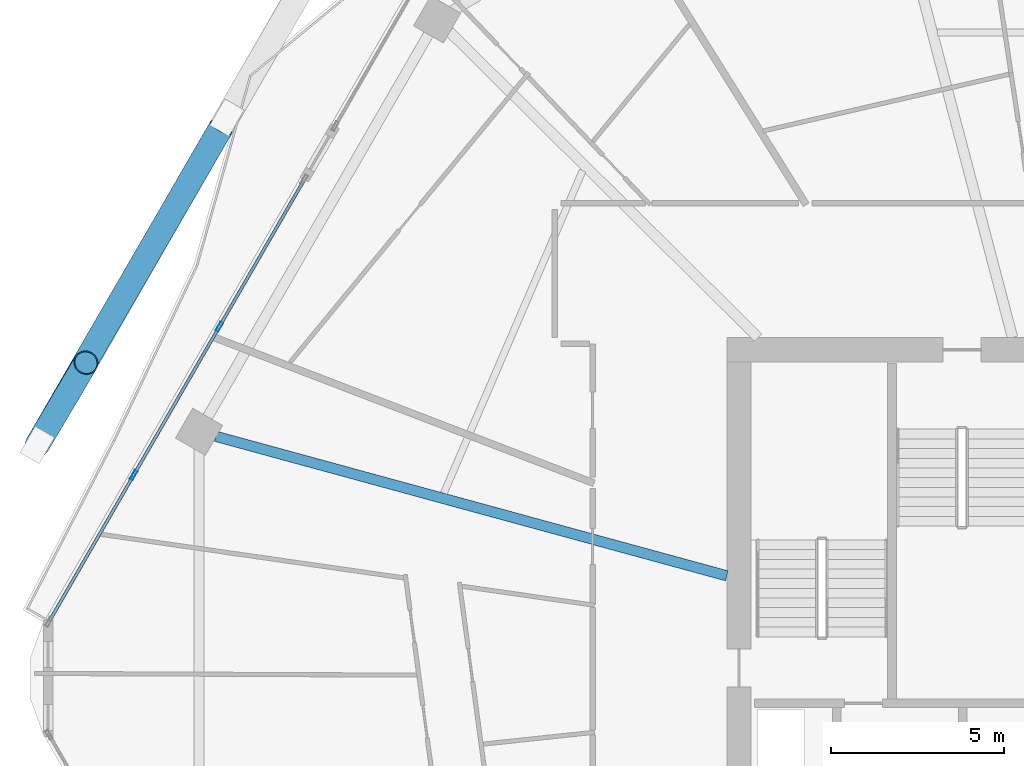
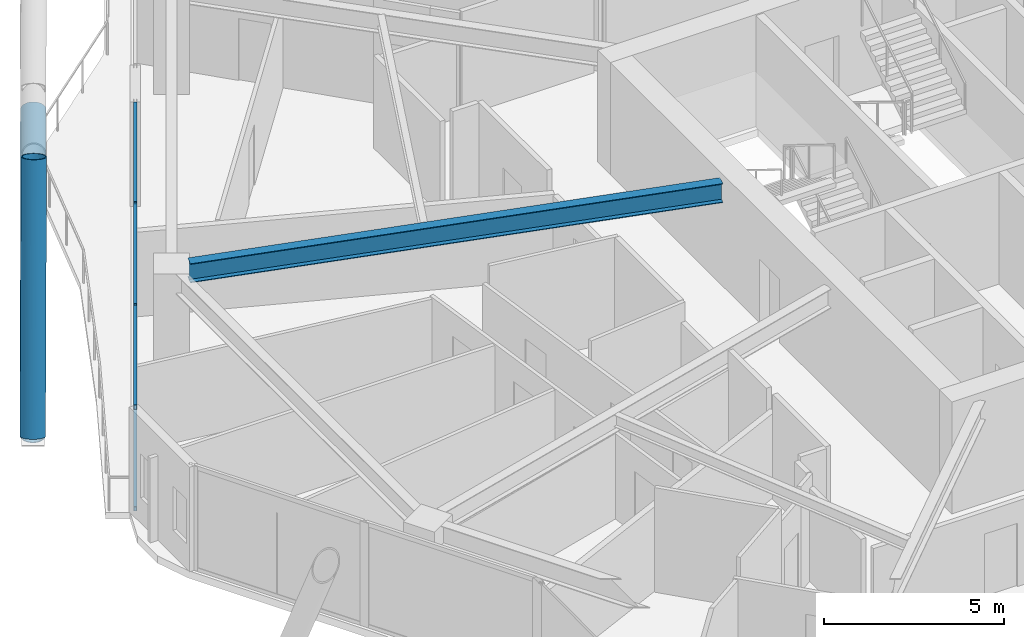
# One storey, part 11 of 30: 10 members, 1 beam, 1 element without a shape of its own.
"""IFC4 building model written with IfcOpenShell, lengths in metres."""

from ifc_helpers import new_model, si_unit, direction, frame, origin, origin_2d, place, context, subcontext, project, spatial, hollow_rectangle, hollow_circle, i_section, extrude, material, material_profile, profile_set, type_object, element, aggregate, save


model = new_model("IFC4")

# Units and contexts
model_context = context("Model", 3, precision=1e-05, world=origin(), true_north=direction((0.0, 1.0)))
body_context = subcontext(model_context, "Body", "Model", "MODEL_VIEW")
ifc_project = project(units=[si_unit("LENGTHUNIT", "METRE"), si_unit("AREAUNIT", "SQUARE_METRE"), si_unit("VOLUMEUNIT", "CUBIC_METRE"), si_unit("PLANEANGLEUNIT", "RADIAN"), si_unit("MASSUNIT", "GRAM", prefix="KILO")], contexts=[model_context])

# Site, building, storey
site_placement = place(None, origin())
site = spatial("IfcSite", under=ifc_project, at=site_placement, CompositionType="ELEMENT")
building_placement = place(site_placement, origin())
building = spatial("IfcBuilding", under=site, at=building_placement, Name="Zuhravey Tower", CompositionType="ELEMENT")
storey_placement = place(building_placement, frame((0.0, 0.0, 177.0)))
storey = spatial("IfcBuildingStorey", under=building, at=storey_placement, Name="L44", CompositionType="ELEMENT", Elevation=177.0)

# Curtain wall, members
ifc_material_1 = material(Name="Thermally broken anodised aluminium", Category="aluminium")
curtain_wall_type = type_object("IfcCurtainWallType", Name="Zone 1-2 Residential Curtain Wall CW3", PredefinedType="NOTDEFINED", material=ifc_material_1)
curtain_wall_placement = place(storey_placement, origin())
curtain_wall = element("IfcCurtainWall", 1, at=curtain_wall_placement, inside=storey, type_object=curtain_wall_type, Name="L44 CW3 CW-L44-F3-1", PredefinedType="NOTDEFINED")
ifc_material_2 = material(Name="Anodised aluminium", Category="aluminium")
ifc_material_profile_1 = material_profile(ifc_material_2, hollow_rectangle(XDim=0.090087890625, YDim=0.284912109375, WallThickness=0.0048828125, at=origin_2d()), Name="ALU-RHS-90x285x5")
ifc_profile_set_1 = profile_set([ifc_material_profile_1], Name="Anodised aluminium")
member_type_1 = type_object("IfcMemberType", Name="Curtain-Wall Mullion 90x180", PredefinedType="MULLION", material=ifc_profile_set_1)
member_1_placement = place(storey_placement, frame((8.004150390625, 37.875732421875, 0.0), z_axis=(0.0, 0.0, 1.0), x_axis=(-0.8660252797, 0.50000021492, 0.0)))
member_1 = element("IfcMember", 2, at=member_1_placement, type_object=member_type_1, Name="CW3 mullion 2", PredefinedType="MULLION", context=body_context, shape_type="SweptSolid", body=[
    extrude(hollow_rectangle(XDim=0.090087890625, YDim=0.284912109375, WallThickness=0.0048828125, at=origin_2d()), origin(), (0.0, 0.0, 1.0), 3.550048828125),
])
member_2_placement = place(storey_placement, frame((10.47998046875, 42.1640625, 0.0), z_axis=(0.0, 0.0, 1.0), x_axis=(-0.8660252797, 0.50000021492, 0.0)))
member_2 = element("IfcMember", 3, at=member_2_placement, type_object=member_type_1, Name="CW3 mullion 3", PredefinedType="MULLION", context=body_context, shape_type="SweptSolid", body=[
    extrude(hollow_rectangle(XDim=0.090087890625, YDim=0.284912109375, WallThickness=0.0048828125, at=origin_2d()), origin(), (0.0, 0.0, 1.0), 3.550048828125),
])
ifc_material_profile_2 = material_profile(ifc_material_2, hollow_rectangle(XDim=0.090087890625, YDim=0.14990234375, WallThickness=0.0048828125, at=origin_2d()), Name="ALU-RHS-90x150x5")
ifc_profile_set_2 = profile_set([ifc_material_profile_2], Name="Anodised aluminium")
member_type_2 = type_object("IfcMemberType", Name="Curtain-Wall Transom 90x150", PredefinedType="USERDEFINED", material=ifc_profile_set_2)
member_3_placement = place(storey_placement, frame((5.5732421875, 33.66552734375, 0.044921875), z_axis=(0.499976935977, 0.866038719395, 0.0), x_axis=(-0.866038719395, 0.499976935977, 0.0)))
member_3 = element("IfcMember", 4, at=member_3_placement, type_object=member_type_2, Name="CW3 transom 1.1", ObjectType="TRANSOM", PredefinedType="USERDEFINED", context=body_context, shape_type="SweptSolid", body=[
    extrude(hollow_rectangle(XDim=0.090087890625, YDim=0.14990234375, WallThickness=0.0048828125, at=origin_2d()), origin(), (0.0, 0.0, 1.0), 4.816650390625),
])
member_4_placement = place(storey_placement, frame((5.5732421875, 33.66552734375, 3.5048828125), z_axis=(0.499976935977, 0.866038719395, 0.0), x_axis=(-0.866038719395, 0.499976935977, 0.0)))
member_4 = element("IfcMember", 5, at=member_4_placement, type_object=member_type_2, Name="CW3 transom 1.2", ObjectType="TRANSOM", PredefinedType="USERDEFINED", context=body_context, shape_type="SweptSolid", body=[
    extrude(hollow_rectangle(XDim=0.090087890625, YDim=0.14990234375, WallThickness=0.0048828125, at=origin_2d()), origin(), (0.0, 0.0, 1.0), 4.816650390625),
])
member_5_placement = place(storey_placement, frame((8.026611328125, 37.914794921875, 0.044921875), z_axis=(0.499984730997, 0.866034219168, 0.0), x_axis=(-0.866034219168, 0.499984730997, 0.0)))
member_5 = element("IfcMember", 6, at=member_5_placement, type_object=member_type_2, Name="CW3 transom 2.1", ObjectType="TRANSOM", PredefinedType="USERDEFINED", context=body_context, shape_type="SweptSolid", body=[
    extrude(hollow_rectangle(XDim=0.090087890625, YDim=0.14990234375, WallThickness=0.0048828125, at=origin_2d()), origin(), (0.0, 0.0, 1.0), 4.861572265625),
])
member_6_placement = place(storey_placement, frame((8.026611328125, 37.914794921875, 3.5048828125), z_axis=(0.499984730997, 0.866034219168, 0.0), x_axis=(-0.866034219168, 0.499984730997, 0.0)))
member_6 = element("IfcMember", 7, at=member_6_placement, type_object=member_type_2, Name="CW3 transom 2.2", ObjectType="TRANSOM", PredefinedType="USERDEFINED", context=body_context, shape_type="SweptSolid", body=[
    extrude(hollow_rectangle(XDim=0.090087890625, YDim=0.14990234375, WallThickness=0.0048828125, at=origin_2d()), origin(), (0.0, 0.0, 1.0), 4.861572265625),
])
member_7_placement = place(storey_placement, frame((10.50244140625, 42.203125, 0.044921875), z_axis=(0.499998884236, 0.86602604797, 0.0), x_axis=(-0.86602604797, 0.499998884236, 0.0)))
member_7 = element("IfcMember", 8, at=member_7_placement, type_object=member_type_2, Name="CW3 transom 3.1", ObjectType="TRANSOM", PredefinedType="USERDEFINED", context=body_context, shape_type="SweptSolid", body=[
    extrude(hollow_rectangle(XDim=0.090087890625, YDim=0.14990234375, WallThickness=0.0048828125, at=origin_2d()), origin(), (0.0, 0.0, 1.0), 4.81640625),
])
member_8_placement = place(storey_placement, frame((10.50244140625, 42.203125, 3.5048828125), z_axis=(0.499998884236, 0.86602604797, 0.0), x_axis=(-0.86602604797, 0.499998884236, 0.0)))
member_8 = element("IfcMember", 9, at=member_8_placement, type_object=member_type_2, Name="CW3 transom 3.2", ObjectType="TRANSOM", PredefinedType="USERDEFINED", context=body_context, shape_type="SweptSolid", body=[
    extrude(hollow_rectangle(XDim=0.090087890625, YDim=0.14990234375, WallThickness=0.0048828125, at=origin_2d()), origin(), (0.0, 0.0, 1.0), 4.81640625),
])
aggregate(curtain_wall, [member_1, member_2, member_3, member_4, member_5, member_6, member_7, member_8])

# Members
ifc_material_3 = material(Name="Steel SM460", Category="steel")
ifc_material_profile_3 = material_profile(ifc_material_3, hollow_circle(Radius=0.355712890625, WallThickness=0.031982421875, at=origin_2d()), Name="CHS-711.2x32")
ifc_profile_set_3 = profile_set([ifc_material_profile_3], Name="Steel SM460")
member_type_3 = type_object("IfcMemberType", Name="Exoskeleton Zone 2 Diagrid CHS711x32", PredefinedType="BRACE", material=ifc_profile_set_3)
member_9_placement = place(storey_placement, frame((5.216796875, 38.748046875, -0.444091796875), z_axis=(0.174643023153, 0.295076026787, 0.939377428343), x_axis=(-0.8605687688, 0.509334265651, 0.0)))
element("IfcMember", 10, at=member_9_placement, inside=storey, type_object=member_type_3, Name="L44 Face 3 Diagrid Brace 4", PredefinedType="BRACE", context=body_context, shape_type="SweptSolid", body=[
    extrude(hollow_circle(Radius=0.355712890625, WallThickness=0.031982421875, at=origin_2d()), origin(), (0.0, 0.0, 1.0), 8.0478515625),
])
member_10_placement = place(storey_placement, frame((5.235595703125, 38.780517578125, -0.448486328125), z_axis=(0.473436747234, 0.817452905317, 0.328067666736), x_axis=(-0.86534615854, 0.501174646107, 0.0)))
element("IfcMember", 11, at=member_10_placement, inside=storey, type_object=member_type_3, Name="L44 Face 3 Split Diagrid Brace 3A", PredefinedType="BRACE", context=body_context, shape_type="SweptSolid", body=[
    extrude(hollow_circle(Radius=0.355712890625, WallThickness=0.031982421875, at=origin_2d()), origin(), (0.0, 0.0, 1.0), 11.190185546875),
])

# Beam
ifc_material_4 = material(Name="Steel SM355", Category="steel")
ifc_material_profile_4 = material_profile(ifc_material_4, i_section(OverallWidth=0.300048828125, OverallDepth=0.64990234375, WebThickness=0.012939453125, FlangeThickness=0.02197265625, at=origin_2d()), Name="H-650x300x13x22")
ifc_profile_set_4 = profile_set([ifc_material_profile_4], Name="Steel SM355")
beam_type = type_object("IfcBeamType", Name="Radial Primary Girder H650x300", PredefinedType="BEAM", material=ifc_profile_set_4)
beam_placement = place(storey_placement, frame((25.14697265625, 34.96240234375, 3.22509765625), z_axis=(-0.964701601771, 0.263345437667, 0.0), x_axis=(-0.263345437667, -0.964701601771, 0.0)))
element("IfcBeam", 12, at=beam_placement, inside=storey, type_object=beam_type, Name="L44 RG2 BM-L44-RAD-06", PredefinedType="BEAM", context=body_context, shape_type="SweptSolid", body=[
    extrude(i_section(OverallWidth=0.300048828125, OverallDepth=0.64990234375, WebThickness=0.012939453125, FlangeThickness=0.02197265625, at=origin_2d()), origin(), (0.0, 0.0, 1.0), 15.309814453125),
])

save(model, "model.ifc")
